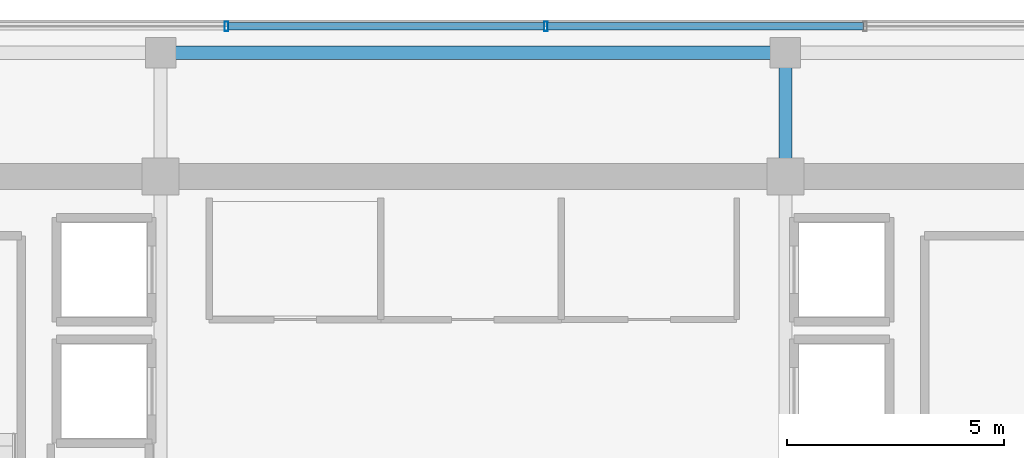
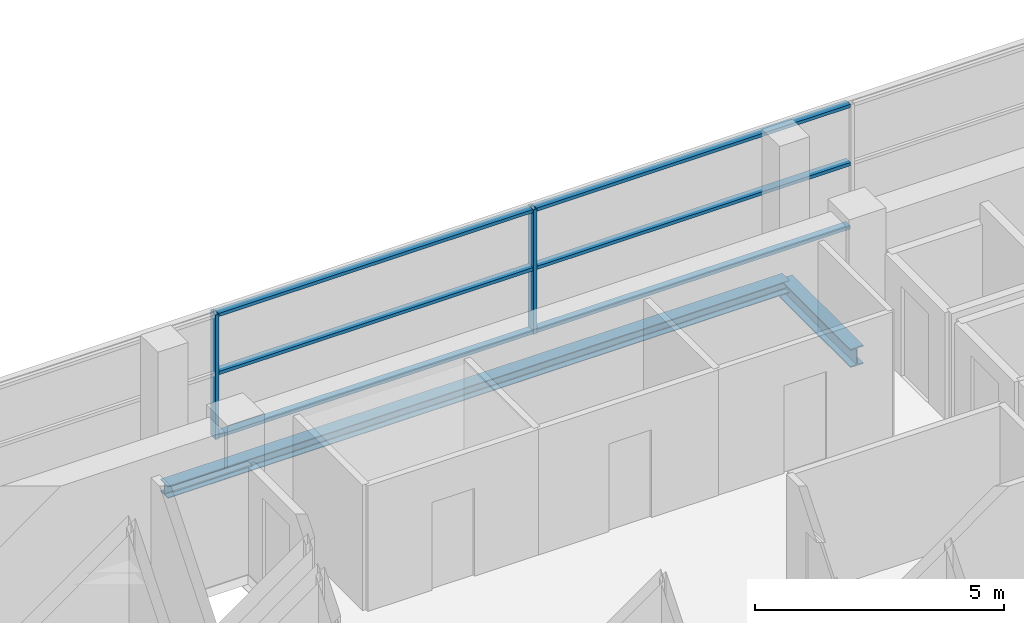
# One storey, part 12 of 22: 8 members, 2 beams, 1 element without a shape of its own.
"""IFC4 building model written with IfcOpenShell, lengths in metres."""

from ifc_helpers import new_model, si_unit, direction, frame, origin, origin_2d, place, context, subcontext, project, spatial, hollow_rectangle, i_section, extrude, source, transform, mapped, material, layer, layer_set, material_profile, profile_set, type_object, element, aggregate, save


model = new_model("IFC4")

# Units and contexts
model_context = context("Model", 3, precision=1e-05, world=origin(), true_north=direction((0.0, 1.0)))
body_context = subcontext(model_context, "Body", "Model", "MODEL_VIEW")
ifc_project = project(units=[si_unit("LENGTHUNIT", "METRE"), si_unit("AREAUNIT", "SQUARE_METRE"), si_unit("VOLUMEUNIT", "CUBIC_METRE"), si_unit("PLANEANGLEUNIT", "RADIAN"), si_unit("MASSUNIT", "GRAM", prefix="KILO")], contexts=[model_context])

# Site, building, storey
site_placement = place(None, origin())
site = spatial("IfcSite", under=ifc_project, at=site_placement, CompositionType="ELEMENT")
building_placement = place(site_placement, origin())
building = spatial("IfcBuilding", under=site, at=building_placement, Name="Zarnakvel Exchange Tower", CompositionType="ELEMENT")
storey_placement = place(building_placement, frame((0.0, 0.0, 222.10009765625)))
storey = spatial("IfcBuildingStorey", under=building, at=storey_placement, Name="L62", CompositionType="ELEMENT", Elevation=222.10009765625)

# Beams
ifc_material_1 = material(Name="Steel S355", Category="steel")
ifc_material_profile_1 = material_profile(ifc_material_1, i_section(OverallWidth=0.300048828125, OverallDepth=0.449951171875, WebThickness=0.013916015625, FlangeThickness=0.02587890625, FilletRadius=0.027099609375, at=origin_2d()))
ifc_profile_set_1 = profile_set([ifc_material_profile_1], Name="Steel S355")
beam_type_1 = type_object("IfcBeamType", Name="G-07", PredefinedType="BEAM", material=ifc_profile_set_1)
beam_1_placement = place(storey_placement, frame((7.199951171875, 13.5, -0.4501953125), z_axis=(0.0, 1.0, 0.0), x_axis=(-1.0, 0.0, 0.0)))
element("IfcBeam", 1, at=beam_1_placement, inside=storey, type_object=beam_type_1, Name="L62 Tower N-S Frame Beam", PredefinedType="BEAM", context=body_context, shape_type="SweptSolid", body=[
    extrude(i_section(OverallWidth=0.300048828125, OverallDepth=0.449951171875, WebThickness=0.013916015625, FlangeThickness=0.02587890625, FilletRadius=0.027099609375, at=origin_2d()), origin(), (0.0, 0.0, 1.0), 2.85009765625),
])
ifc_material_profile_2 = material_profile(ifc_material_1, i_section(OverallWidth=0.300048828125, OverallDepth=0.300048828125, WebThickness=0.010986328125, FlangeThickness=0.01904296875, FilletRadius=0.027099609375, at=origin_2d()))
ifc_profile_set_2 = profile_set([ifc_material_profile_2], Name="Steel S355")
beam_type_2 = type_object("IfcBeamType", Name="SP-03", PredefinedType="SPANDREL", material=ifc_profile_set_2)
beam_2_placement = place(storey_placement, frame((-7.199951171875, 16.35009765625, -0.375), z_axis=(1.0, 0.0, 0.0), x_axis=(0.0, 1.0, 0.0)))
element("IfcBeam", 2, at=beam_2_placement, inside=storey, type_object=beam_type_2, Name="L62 Tower E-W Frame Beam", PredefinedType="SPANDREL", context=body_context, shape_type="SweptSolid", body=[
    extrude(i_section(OverallWidth=0.300048828125, OverallDepth=0.300048828125, WebThickness=0.010986328125, FlangeThickness=0.01904296875, FilletRadius=0.027099609375, at=origin_2d()), origin(), (0.0, 0.0, 1.0), 14.39990234375),
])

# Curtain wall, members
ifc_material_2 = material(Name="Architectural Bronze Anodised Aluminium", Category="aluminium")
ifc_layer = layer(ifc_material_2, 0.219970703125)
ifc_layer_set = layer_set([ifc_layer], Name="Architectural Bronze Anodised Aluminium")
curtain_wall_type = type_object("IfcCurtainWallType", Name="CW-03", PredefinedType="NOTDEFINED", material=ifc_layer_set)
curtain_wall_placement = place(storey_placement, origin())
curtain_wall = element("IfcCurtainWall", 3, at=curtain_wall_placement, inside=storey, type_object=curtain_wall_type, Name="L62 Curtain Wall CW-L62-N1 (CW-03)", PredefinedType="NOTDEFINED")
ifc_material_profile_3 = material_profile(ifc_material_2, hollow_rectangle(XDim=0.219970703125, YDim=0.080078125, WallThickness=0.0048828125, at=origin_2d()))
ifc_profile_set_3 = profile_set([ifc_material_profile_3], Name="Architectural Bronze Anodised Aluminium")
member_type_1 = type_object("IfcMemberType", Name="CWM-03", PredefinedType="MULLION", material=ifc_profile_set_3)
shared_shape_1 = source(origin(), body_context, "Body", "SweptSolid", [
    extrude(hollow_rectangle(XDim=0.219970703125, YDim=0.080078125, WallThickness=0.0048828125, at=origin_2d()), origin(), (0.0, 0.0, 1.0), 3.054931640625),
])
member_1_placement = place(storey_placement, frame((-5.679931640625, 16.9599609375, 0.0), z_axis=(0.0, 0.0, 1.0), x_axis=(0.0, 1.0, 0.0)))
member_1 = element("IfcMember", 4, at=member_1_placement, type_object=member_type_1, Name="CW-03 mullion 3", PredefinedType="MULLION", context=body_context, shape_type="MappedRepresentation", body=[
    mapped(shared_shape_1, transform((0.0, 0.0, 0.0), x_axis=(1.0, 0.0, 0.0), y_axis=(0.0, 1.0, 0.0), z_axis=(0.0, 0.0, 1.0), scale=1.0)),
])
member_2_placement = place(storey_placement, frame((1.679931640625, 16.9599609375, 0.0), z_axis=(0.0, 0.0, 1.0), x_axis=(0.0, 1.0, 0.0)))
member_2 = element("IfcMember", 5, at=member_2_placement, type_object=member_type_1, Name="CW-03 mullion 4", PredefinedType="MULLION", context=body_context, shape_type="MappedRepresentation", body=[
    mapped(shared_shape_1, transform((0.0, 0.0, 0.0), x_axis=(1.0, 0.0, 0.0), y_axis=(0.0, 1.0, 0.0), z_axis=(0.0, 0.0, 1.0), scale=1.0)),
])
ifc_material_profile_4 = material_profile(ifc_material_2, hollow_rectangle(XDim=0.179931640625, YDim=0.080078125, WallThickness=0.00390625, at=origin_2d()))
ifc_profile_set_4 = profile_set([ifc_material_profile_4], Name="Architectural Bronze Anodised Aluminium")
member_type_2 = type_object("IfcMemberType", Name="CWT-03", PredefinedType="USERDEFINED", material=ifc_profile_set_4)
shared_shape_2 = source(origin(), body_context, "Body", "SweptSolid", [
    extrude(hollow_rectangle(XDim=0.179931640625, YDim=0.080078125, WallThickness=0.00390625, at=origin_2d()), origin(), (0.0, 0.0, 1.0), 7.280029296875),
])
member_3_placement = place(storey_placement, frame((1.719970703125, 16.9599609375, 0.039794921875), z_axis=(1.0, 0.0, 0.0), x_axis=(0.0, 1.0, 0.0)))
member_3 = element("IfcMember", 6, at=member_3_placement, type_object=member_type_2, Name="CW-03 transom 4.1", ObjectType="TRANSOM", PredefinedType="USERDEFINED", context=body_context, shape_type="MappedRepresentation", body=[
    mapped(shared_shape_2, transform((0.0, 0.0, 0.0), x_axis=(1.0, 0.0, 0.0), y_axis=(0.0, 1.0, 0.0), z_axis=(0.0, 0.0, 1.0), scale=1.0)),
])
member_4_placement = place(storey_placement, frame((1.719970703125, 16.9599609375, 1.588623046875), z_axis=(1.0, 0.0, 0.0), x_axis=(0.0, 1.0, 0.0)))
member_4 = element("IfcMember", 7, at=member_4_placement, type_object=member_type_2, Name="CW-03 transom 4.2", ObjectType="TRANSOM", PredefinedType="USERDEFINED", context=body_context, shape_type="MappedRepresentation", body=[
    mapped(shared_shape_2, transform((0.0, 0.0, 0.0), x_axis=(1.0, 0.0, 0.0), y_axis=(0.0, 1.0, 0.0), z_axis=(0.0, 0.0, 1.0), scale=1.0)),
])
member_5_placement = place(storey_placement, frame((1.719970703125, 16.9599609375, 3.014892578125), z_axis=(1.0, 0.0, 0.0), x_axis=(0.0, 1.0, 0.0)))
member_5 = element("IfcMember", 8, at=member_5_placement, type_object=member_type_2, Name="CW-03 transom 4.3", ObjectType="TRANSOM", PredefinedType="USERDEFINED", context=body_context, shape_type="MappedRepresentation", body=[
    mapped(shared_shape_2, transform((0.0, 0.0, 0.0), x_axis=(1.0, 0.0, 0.0), y_axis=(0.0, 1.0, 0.0), z_axis=(0.0, 0.0, 1.0), scale=1.0)),
])
shared_shape_3 = source(origin(), body_context, "Body", "SweptSolid", [
    extrude(hollow_rectangle(XDim=0.179931640625, YDim=0.080078125, WallThickness=0.00390625, at=origin_2d()), origin(), (0.0, 0.0, 1.0), 7.27978515625),
])
member_6_placement = place(storey_placement, frame((-5.639892578125, 16.9599609375, 0.039794921875), z_axis=(1.0, 0.0, 0.0), x_axis=(0.0, 1.0, 0.0)))
member_6 = element("IfcMember", 9, at=member_6_placement, type_object=member_type_2, Name="CW-03 transom 3.1", ObjectType="TRANSOM", PredefinedType="USERDEFINED", context=body_context, shape_type="MappedRepresentation", body=[
    mapped(shared_shape_3, transform((0.0, 0.0, 0.0), x_axis=(1.0, 0.0, 0.0), y_axis=(0.0, 1.0, 0.0), z_axis=(0.0, 0.0, 1.0), scale=1.0)),
])
member_7_placement = place(storey_placement, frame((-5.639892578125, 16.9599609375, 1.588623046875), z_axis=(1.0, 0.0, 0.0), x_axis=(0.0, 1.0, 0.0)))
member_7 = element("IfcMember", 10, at=member_7_placement, type_object=member_type_2, Name="CW-03 transom 3.2", ObjectType="TRANSOM", PredefinedType="USERDEFINED", context=body_context, shape_type="MappedRepresentation", body=[
    mapped(shared_shape_3, transform((0.0, 0.0, 0.0), x_axis=(1.0, 0.0, 0.0), y_axis=(0.0, 1.0, 0.0), z_axis=(0.0, 0.0, 1.0), scale=1.0)),
])
member_8_placement = place(storey_placement, frame((-5.639892578125, 16.9599609375, 3.014892578125), z_axis=(1.0, 0.0, 0.0), x_axis=(0.0, 1.0, 0.0)))
member_8 = element("IfcMember", 11, at=member_8_placement, type_object=member_type_2, Name="CW-03 transom 3.3", ObjectType="TRANSOM", PredefinedType="USERDEFINED", context=body_context, shape_type="MappedRepresentation", body=[
    mapped(shared_shape_3, transform((0.0, 0.0, 0.0), x_axis=(1.0, 0.0, 0.0), y_axis=(0.0, 1.0, 0.0), z_axis=(0.0, 0.0, 1.0), scale=1.0)),
])
aggregate(curtain_wall, [member_1, member_2, member_6, member_7, member_8, member_3, member_4, member_5])

save(model, "model.ifc")
